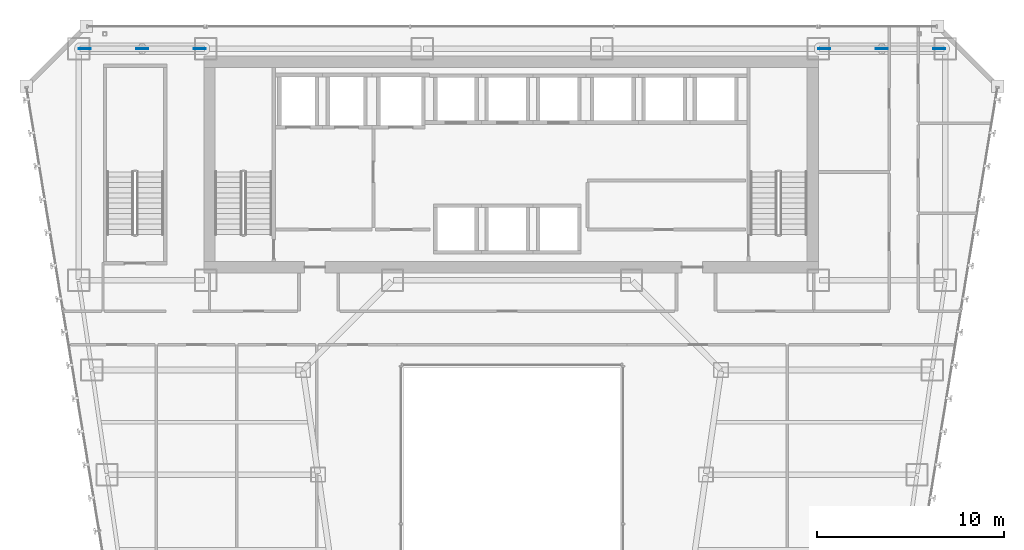
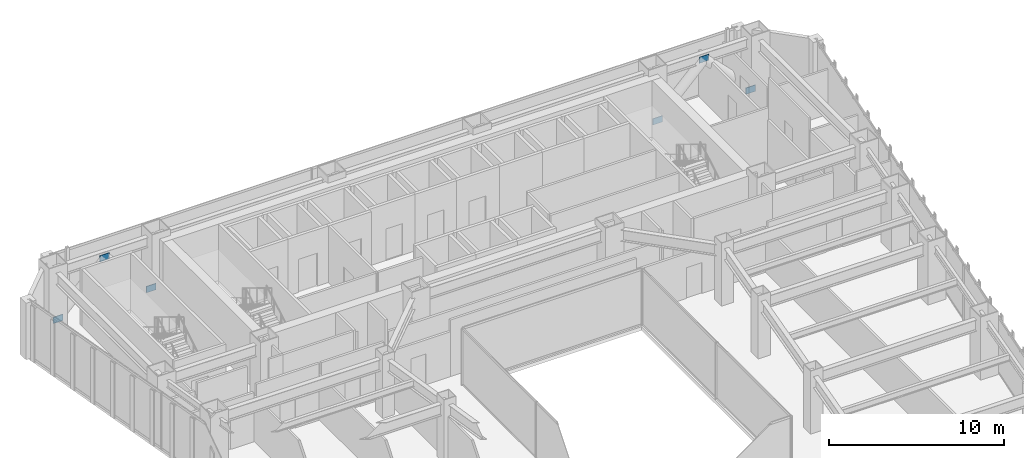
# One storey, part 35 of 47: 6 plates.
"""IFC4 building model written with IfcOpenShell, lengths in metres."""

from ifc_helpers import new_model, si_unit, direction, frame, origin, origin_2d, place, context, subcontext, project, spatial, rectangle, extrude, material, layer, layer_set, type_object, element, save


model = new_model("IFC4")

# Units and contexts
model_context = context("Model", 3, precision=1e-05, world=origin(), true_north=direction((0.0, 1.0)))
body_context = subcontext(model_context, "Body", "Model", "MODEL_VIEW")
ifc_project = project(units=[si_unit("LENGTHUNIT", "METRE"), si_unit("AREAUNIT", "SQUARE_METRE"), si_unit("VOLUMEUNIT", "CUBIC_METRE"), si_unit("PLANEANGLEUNIT", "RADIAN"), si_unit("MASSUNIT", "GRAM", prefix="KILO")], contexts=[model_context])

# Site, building, storey
site_placement = place(None, origin())
site = spatial("IfcSite", under=ifc_project, at=site_placement, CompositionType="ELEMENT")
building_placement = place(site_placement, origin())
building = spatial("IfcBuilding", under=site, at=building_placement, Name="Saevonmaru Cultural Tower", CompositionType="ELEMENT")
storey_placement = place(building_placement, frame((0.0, 0.0, 82.39990234375)))
storey = spatial("IfcBuildingStorey", under=building, at=storey_placement, Name="L17", CompositionType="ELEMENT", Elevation=82.39990234375)

# Plates
ifc_material = material(Name="Steel HSA600 (600 MPa)", Category="steel")
ifc_layer = layer(ifc_material, 0.0400390625, Name="Steel HSA600 (600 MPa)")
ifc_layer_set = layer_set([ifc_layer], Name="Steel HSA600 (600 MPa)")
plate_type = type_object("IfcPlateType", Name="PL-GUSSET-EXT", PredefinedType="USERDEFINED", material=ifc_layer_set)
for number, where, z_axis, x_axis, name in (
    (1, (10.199951171875, 54.800048828125, 3.250244140625), (0.0, 0.0, 1.0), (1.0, 0.0, 0.0), "L17 Perimeter Tube Gusset Plate"),
    (2, (7.1201171875, 54.800048828125, 0.02001953125), (0.0, 0.0, 1.0), (1.0, 0.0, 0.0), "L17 Perimeter Tube Gusset Plate"),
    (3, (13.280029296875, 54.800048828125, 0.02001953125), (0.0, 0.0, 1.0), (1.0, 0.0, 0.0), "L17 Perimeter Tube Gusset Plate"),
    (4, (49.800048828125, 54.800048828125, 3.250244140625), (0.0, 0.0, 1.0), (1.0, 0.0, 0.0), "L17 Perimeter Tube Gusset Plate"),
    (5, (46.719970703125, 54.800048828125, 0.02001953125), (0.0, 0.0, 1.0), (1.0, 0.0, 0.0), "L17 Perimeter Tube Gusset Plate"),
    (6, (52.8798828125, 54.800048828125, 0.02001953125), (0.0, 0.0, 1.0), (1.0, 0.0, 0.0), "L17 Perimeter Tube Gusset Plate"),
):
    element("IfcPlate", number, at=place(storey_placement, frame(where, z_axis=z_axis, x_axis=x_axis)), inside=storey, type_object=plate_type, Name=name, ObjectType="GUSSET_PLATE", PredefinedType="USERDEFINED", context=body_context, shape_type="SweptSolid", body=[
        extrude(rectangle(XDim=0.639892578125, YDim=0.0400390625, at=origin_2d()), origin(), (0.0, 0.0, 1.0), 0.43994140625),
    ])

save(model, "model.ifc")
